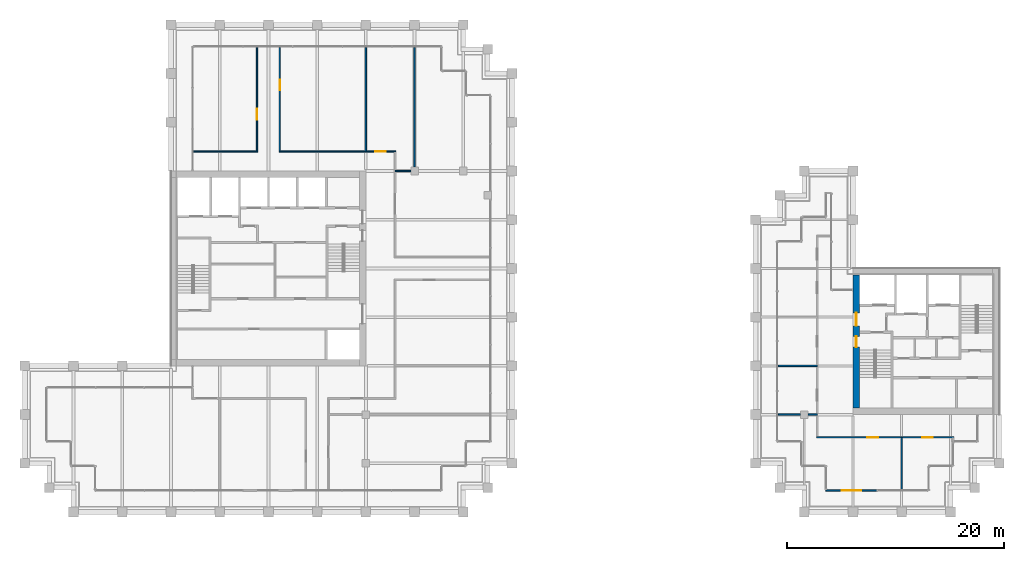
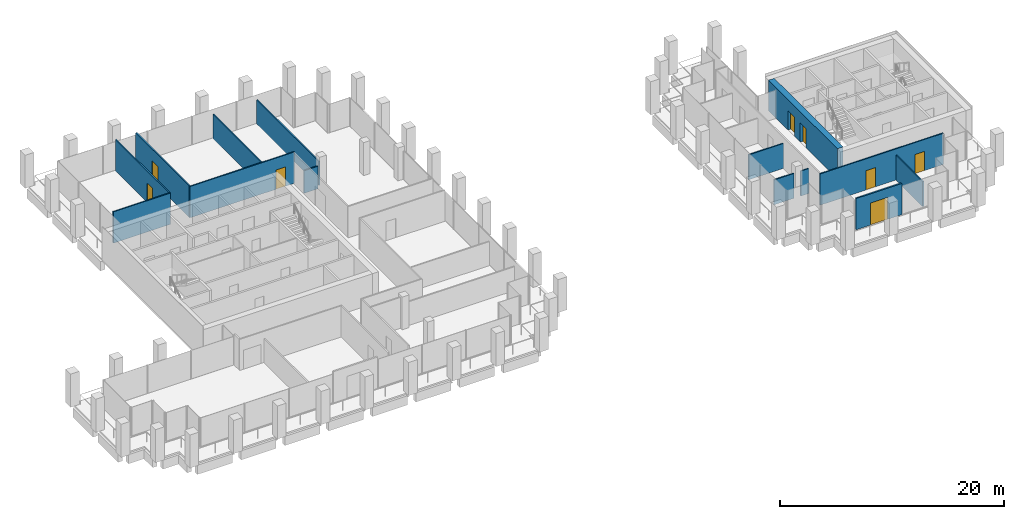
# One storey, part 37 of 40: 14 walls, 8 doors, 8 openings.
"""IFC4 building model written with IfcOpenShell, lengths in metres."""

from ifc_helpers import new_model, si_unit, direction, frame, frame_2d, origin, place, context, subcontext, project, spatial, rectangle, extrude, material, layer, layer_set, type_object, element, fill, save


model = new_model("IFC4")

# Units and contexts
model_context = context("Model", 3, precision=1e-05, world=origin(), true_north=direction((0.0, 1.0)))
body_context = subcontext(model_context, "Body", "Model", "MODEL_VIEW")
ifc_project = project(units=[si_unit("LENGTHUNIT", "METRE"), si_unit("AREAUNIT", "SQUARE_METRE"), si_unit("VOLUMEUNIT", "CUBIC_METRE"), si_unit("PLANEANGLEUNIT", "RADIAN"), si_unit("MASSUNIT", "GRAM", prefix="KILO")], contexts=[model_context])

# Site, building, storey
site_placement = place(None, origin())
site = spatial("IfcSite", under=ifc_project, at=site_placement, CompositionType="ELEMENT")
building_placement = place(site_placement, origin())
building = spatial("IfcBuilding", under=site, at=building_placement, Name="Altepetl Exchange Towers", CompositionType="ELEMENT")
storey_placement = place(building_placement, frame((0.0, 0.0, 187.0)))
storey = spatial("IfcBuildingStorey", under=building, at=storey_placement, Name="L47", CompositionType="ELEMENT", Elevation=187.0)

# Wall, openings, doors
ifc_material_1 = material(Name="Concrete C70/85", Category="concrete")
ifc_layer_1 = layer(ifc_material_1, 0.60009765625)
ifc_layer_set_1 = layer_set([ifc_layer_1], Name="Concrete C70/85")
wall_type_1 = type_object("IfcWallType", Name="Core wall 600 reinforced concrete", PredefinedType="SHEAR", material=ifc_layer_set_1)
wall_1_placement = place(storey_placement, frame((103.800048828125, 36.60009765625, 0.0), z_axis=(0.0, 0.0, 1.0), x_axis=(0.0, 1.0, 0.0)))
wall_1 = element("IfcWall", 1, at=wall_1_placement, inside=storey, type_object=wall_type_1, Name="wall:B:L47:K-coreW", PredefinedType="SHEAR", context=body_context, shape_type="SweptSolid", body=[
    extrude(rectangle(XDim=12.2998046875, YDim=0.60009765625, at=frame_2d((6.14990234375, 0.0))), origin(), (0.0, 0.0, 1.0), 3.300048828125),
])
opening_1_placement = place(wall_1_placement, frame((7.60009765625, 0.0, 0.0)))
opening_1 = element("IfcOpeningElement", 2, at=opening_1_placement, cuts=wall_1, Name="Opening L47.B60", PredefinedType="OPENING", context=body_context, shape_type="SweptSolid", body=[
    extrude(rectangle(XDim=1.199951171875, YDim=2.10009765625, at=frame_2d((0.60009765625, 1.050048828125))), frame((0.0, 0.31005859375, 0.0), z_axis=(0.0, -1.0, 0.0), x_axis=(1.0, 0.0, 0.0)), (0.0, 0.0, 1.0), 0.6201171875),
])
opening_2_placement = place(wall_1_placement, frame((5.625, 0.0, 0.0)))
opening_2 = element("IfcOpeningElement", 3, at=opening_2_placement, cuts=wall_1, Name="Opening L47.B62", PredefinedType="OPENING", context=body_context, shape_type="SweptSolid", body=[
    extrude(rectangle(XDim=1.0, YDim=2.10009765625, at=frame_2d((0.5, 1.050048828125))), frame((0.0, 0.31005859375, 0.0), z_axis=(0.0, -1.0, 0.0), x_axis=(1.0, 0.0, 0.0)), (0.0, 0.0, 1.0), 0.6201171875),
])
ifc_material_2 = material(Name="Steel and timber fire door", Category="steel")
door_type_1 = type_object("IfcDoorType", Name="Fire door 1000 x 2100 stair and lobby", OperationType="SINGLE_SWING_LEFT", PredefinedType="DOOR", material=ifc_material_2)
door_1_placement = place(opening_2_placement, frame((1.0, 0.0, 0.0), x_axis=(-1.0, 0.0, 0.0)))
door_1 = element("IfcDoor", 4, at=door_1_placement, inside=storey, type_object=door_type_1, Name="door:B:L47:K-dS1x", OperationType="SINGLE_SWING_RIGHT", OverallHeight=2.10009765625, OverallWidth=1.0, PredefinedType="DOOR", context=body_context, shape_type="SweptSolid", body=[
    extrude(rectangle(XDim=1.0, YDim=2.10009765625, at=frame_2d((0.5, 1.050048828125))), frame((0.0, 0.02490234375, 0.0), z_axis=(0.0, -1.0, 0.0), x_axis=(1.0, 0.0, 0.0)), (0.0, 0.0, 1.0), 0.050048828125),
])
fill(opening_2, door_1)
door_type_2 = type_object("IfcDoorType", Name="Fire door 1200 x 2100 lobby entry", OperationType="SINGLE_SWING_LEFT", PredefinedType="DOOR", material=ifc_material_2)
door_2_placement = place(opening_1_placement, frame((1.199951171875, 0.0, 0.0), x_axis=(-1.0, 0.0, 0.0)))
door_2 = element("IfcDoor", 5, at=door_2_placement, inside=storey, type_object=door_type_2, Name="door:B:L47:K-dLNW", OperationType="SINGLE_SWING_RIGHT", OverallHeight=2.10009765625, OverallWidth=1.199951171875, PredefinedType="DOOR", context=body_context, shape_type="SweptSolid", body=[
    extrude(rectangle(XDim=1.199951171875, YDim=2.10009765625, at=frame_2d((0.60009765625, 1.050048828125))), frame((0.0, 0.02490234375, 0.0), z_axis=(0.0, -1.0, 0.0), x_axis=(1.0, 0.0, 0.0)), (0.0, 0.0, 1.0), 0.050048828125),
])
fill(opening_1, door_2)

# Wall, opening, door
ifc_material_3 = material(Name="Aluminium composite cladding", Category="aluminium")
ifc_layer_2 = layer(ifc_material_3, 0.14990234375)
ifc_layer_set_2 = layer_set([ifc_layer_2], Name="Aluminium composite cladding")
wall_type_2 = type_object("IfcWallType", Name="Infill wall 150 aluminium panel", PredefinedType="SOLIDWALL", material=ifc_layer_set_2)
wall_2_placement = place(storey_placement, frame((101.0, 29.0, 0.0)))
wall_2 = element("IfcWall", 6, at=wall_2_placement, inside=storey, type_object=wall_type_2, Name="Loggia door bay wall", PredefinedType="SOLIDWALL", context=body_context, shape_type="SweptSolid", body=[
    extrude(rectangle(XDim=4.71240234375, YDim=0.14990234375, at=frame_2d((2.356201171875, 0.0))), origin(), (0.0, 0.0, 1.0), 3.39990234375),
])
opening_3_placement = place(wall_2_placement, frame((1.456298828125, 0.0, 0.0)))
opening_3 = element("IfcOpeningElement", 7, at=opening_3_placement, cuts=wall_2, Name="Opening L47.B90", PredefinedType="OPENING", context=body_context, shape_type="SweptSolid", body=[
    extrude(rectangle(XDim=1.800048828125, YDim=2.39990234375, at=frame_2d((0.89990234375, 1.199951171875))), frame((0.0, 0.0849609375, 0.0), z_axis=(0.0, -1.0, 0.0), x_axis=(1.0, 0.0, 0.0)), (0.0, 0.0, 1.0), 0.169921875),
])
ifc_material_4 = material(Name="Aluminium 6063-T6 and glass", Category="aluminium")
door_type_3 = type_object("IfcDoorType", Name="Glazed door pair 1800x2400", OperationType="DOUBLE_DOOR_DOUBLE_SWING", PredefinedType="NOTDEFINED", material=ifc_material_4)
door_3_placement = place(opening_3_placement, frame((1.800048828125, 0.0, 0.0), x_axis=(-1.0, 0.0, 0.0)))
door_3 = element("IfcDoor", 8, at=door_3_placement, inside=storey, type_object=door_type_3, Name="Loggia door", OperationType="DOUBLE_DOOR_DOUBLE_SWING", OverallHeight=2.39990234375, OverallWidth=1.800048828125, PredefinedType="NOTDEFINED", context=body_context, shape_type="SweptSolid", body=[
    extrude(rectangle(XDim=1.800048828125, YDim=2.39990234375, at=frame_2d((0.89990234375, 1.199951171875))), frame((0.0, 0.02490234375, 0.0), z_axis=(0.0, -1.0, 0.0), x_axis=(1.0, 0.0, 0.0)), (0.0, 0.0, 1.0), 0.050048828125),
])
fill(opening_3, door_3)

# Walls
ifc_material_5 = material(Name="Gypsum board on steel studs", Category="steel")
ifc_layer_3 = layer(ifc_material_5, 0.125)
ifc_layer_set_3 = layer_set([ifc_layer_3], Name="Gypsum board on steel studs")
wall_type_3 = type_object("IfcWallType", Name="Partition 125 gypsum board on steel studs", PredefinedType="PARTITIONING", material=ifc_layer_set_3)
wall_3_placement = place(storey_placement, frame((61.199951171875, 58.5, 0.0)))
element("IfcWall", 9, at=wall_3_placement, inside=storey, type_object=wall_type_3, Name="wall:A:L47:P08", PredefinedType="PARTITIONING", context=body_context, shape_type="SweptSolid", body=[
    extrude(rectangle(XDim=1.449951171875, YDim=0.125, at=frame_2d((0.72509765625, 0.0))), origin(), (0.0, 0.0, 1.0), 2.45703125),
])
wall_4_placement = place(storey_placement, frame((42.60009765625, 60.300048828125, 0.0)))
element("IfcWall", 10, at=wall_4_placement, inside=storey, type_object=wall_type_3, Name="wall:A:L47:P09", PredefinedType="PARTITIONING", context=body_context, shape_type="SweptSolid", body=[
    extrude(rectangle(XDim=5.912353515625, YDim=0.125, at=frame_2d((2.9560546875, 0.0))), origin(), (0.0, 0.0, 1.0), 3.39990234375),
])

# Wall, opening, door
wall_5_placement = place(storey_placement, frame((50.487548828125, 60.300048828125, 0.0)))
wall_5 = element("IfcWall", 11, at=wall_5_placement, inside=storey, type_object=wall_type_3, Name="wall:A:L47:P10", PredefinedType="PARTITIONING", context=body_context, shape_type="SweptSolid", body=[
    extrude(rectangle(XDim=10.77490234375, YDim=0.125, at=frame_2d((5.387451171875, 0.0))), origin(), (0.0, 0.0, 1.0), 3.39990234375),
])
opening_4_placement = place(wall_5_placement, frame((8.862548828125, 0.0, 0.0)))
opening_4 = element("IfcOpeningElement", 12, at=opening_4_placement, cuts=wall_5, Name="Opening L47.A07", PredefinedType="OPENING", context=body_context, shape_type="SweptSolid", body=[
    extrude(rectangle(XDim=1.0, YDim=2.10009765625, at=frame_2d((0.5, 1.050048828125))), frame((0.0, 0.072509765625, 0.0), z_axis=(0.0, -1.0, 0.0), x_axis=(1.0, 0.0, 0.0)), (0.0, 0.0, 1.0), 0.14501953125),
])
door_type_4 = type_object("IfcDoorType", Name="Fire door 1000 x 2100 single leaf", OperationType="SINGLE_SWING_LEFT", PredefinedType="DOOR", material=ifc_material_2)
door_4_placement = place(opening_4_placement, origin())
door_4 = element("IfcDoor", 13, at=door_4_placement, inside=storey, type_object=door_type_4, Name="door:A:L47:07", OperationType="SINGLE_SWING_RIGHT", OverallHeight=2.10009765625, OverallWidth=1.0, PredefinedType="DOOR", context=body_context, shape_type="SweptSolid", body=[
    extrude(rectangle(XDim=1.0, YDim=2.10009765625, at=frame_2d((0.5, 1.050048828125))), frame((0.0, 0.02490234375, 0.0), z_axis=(0.0, -1.0, 0.0), x_axis=(1.0, 0.0, 0.0)), (0.0, 0.0, 1.0), 0.050048828125),
])
fill(opening_4, door_4)

wall_6_placement = place(storey_placement, frame((48.449951171875, 60.362548828125, 0.0), z_axis=(0.0, 0.0, 1.0), x_axis=(0.0, 1.0, 0.0)))
wall_6 = element("IfcWall", 14, at=wall_6_placement, inside=storey, type_object=wall_type_3, Name="wall:A:L47:P13", PredefinedType="PARTITIONING", context=body_context, shape_type="SweptSolid", body=[
    extrude(rectangle(XDim=9.537353515625, YDim=0.125, at=frame_2d((4.7685546875, 0.0))), origin(), (0.0, 0.0, 1.0), 3.39990234375),
])
opening_5_placement = place(wall_6_placement, frame((2.889404296875, 0.0, 0.0)))
opening_5 = element("IfcOpeningElement", 15, at=opening_5_placement, cuts=wall_6, Name="Opening L47.A08", PredefinedType="OPENING", context=body_context, shape_type="SweptSolid", body=[
    extrude(rectangle(XDim=1.0, YDim=2.10009765625, at=frame_2d((0.5, 1.050048828125))), frame((0.0, 0.072509765625, 0.0), z_axis=(0.0, -1.0, 0.0), x_axis=(1.0, 0.0, 0.0)), (0.0, 0.0, 1.0), 0.14501953125),
])
door_5_placement = place(opening_5_placement, origin())
door_5 = element("IfcDoor", 16, at=door_5_placement, inside=storey, type_object=door_type_4, Name="door:A:L47:08", OperationType="SINGLE_SWING_RIGHT", OverallHeight=2.10009765625, OverallWidth=1.0, PredefinedType="DOOR", context=body_context, shape_type="SweptSolid", body=[
    extrude(rectangle(XDim=1.0, YDim=2.10009765625, at=frame_2d((0.5, 1.050048828125))), frame((0.0, 0.02490234375, 0.0), z_axis=(0.0, -1.0, 0.0), x_axis=(1.0, 0.0, 0.0)), (0.0, 0.0, 1.0), 0.050048828125),
])
fill(opening_5, door_5)

wall_7_placement = place(storey_placement, frame((50.550048828125, 60.362548828125, 0.0), z_axis=(0.0, 0.0, 1.0), x_axis=(0.0, 1.0, 0.0)))
wall_7 = element("IfcWall", 17, at=wall_7_placement, inside=storey, type_object=wall_type_3, Name="wall:A:L47:P14", PredefinedType="PARTITIONING", context=body_context, shape_type="SweptSolid", body=[
    extrude(rectangle(XDim=9.537353515625, YDim=0.125, at=frame_2d((4.7685546875, 0.0))), origin(), (0.0, 0.0, 1.0), 3.39990234375),
])
opening_6_placement = place(wall_7_placement, frame((5.58447265625, 0.0, 0.0)))
opening_6 = element("IfcOpeningElement", 18, at=opening_6_placement, cuts=wall_7, Name="Opening L47.A09", PredefinedType="OPENING", context=body_context, shape_type="SweptSolid", body=[
    extrude(rectangle(XDim=1.0, YDim=2.10009765625, at=frame_2d((0.5, 1.050048828125))), frame((0.0, 0.072509765625, 0.0), z_axis=(0.0, -1.0, 0.0), x_axis=(1.0, 0.0, 0.0)), (0.0, 0.0, 1.0), 0.14501953125),
])
door_6_placement = place(opening_6_placement, frame((1.0, 0.0, 0.0), x_axis=(-1.0, 0.0, 0.0)))
door_6 = element("IfcDoor", 19, at=door_6_placement, inside=storey, type_object=door_type_4, Name="door:A:L47:09", OperationType="SINGLE_SWING_RIGHT", OverallHeight=2.10009765625, OverallWidth=1.0, PredefinedType="DOOR", context=body_context, shape_type="SweptSolid", body=[
    extrude(rectangle(XDim=1.0, YDim=2.10009765625, at=frame_2d((0.5, 1.050048828125))), frame((0.0, 0.02490234375, 0.0), z_axis=(0.0, -1.0, 0.0), x_axis=(1.0, 0.0, 0.0)), (0.0, 0.0, 1.0), 0.050048828125),
])
fill(opening_6, door_6)

# Walls
wall_8_placement = place(storey_placement, frame((58.5, 60.300048828125, 0.0), z_axis=(0.0, 0.0, 1.0), x_axis=(0.0, 1.0, 0.0)))
element("IfcWall", 20, at=wall_8_placement, inside=storey, type_object=wall_type_3, Name="wall:A:L47:P17", PredefinedType="PARTITIONING", context=body_context, shape_type="SweptSolid", body=[
    extrude(rectangle(XDim=9.599853515625, YDim=0.125, at=frame_2d((4.7998046875, 0.0))), origin(), (0.0, 0.0, 1.0), 2.6259765625),
])
wall_9_placement = place(storey_placement, frame((63.0, 58.85009765625, 0.0), z_axis=(0.0, 0.0, 1.0), x_axis=(0.0, 1.0, 0.0)))
element("IfcWall", 21, at=wall_9_placement, inside=storey, type_object=wall_type_3, Name="wall:A:L47:P20", PredefinedType="PARTITIONING", context=body_context, shape_type="SweptSolid", body=[
    extrude(rectangle(XDim=11.0498046875, YDim=0.125, at=frame_2d((5.52490234375, 0.0))), origin(), (0.0, 0.0, 1.0), 2.6259765625),
])

# Wall, openings, doors
wall_10_placement = place(storey_placement, frame((100.137451171875, 33.89990234375, 0.0)))
wall_10 = element("IfcWall", 22, at=wall_10_placement, inside=storey, type_object=wall_type_3, Name="wall:B:L47:P01", PredefinedType="PARTITIONING", context=body_context, shape_type="SweptSolid", body=[
    extrude(rectangle(XDim=12.675048828125, YDim=0.125, at=frame_2d((6.33740234375, 0.0))), origin(), (0.0, 0.0, 1.0), 3.39990234375),
])
opening_7_placement = place(wall_10_placement, frame((4.6904296875, 0.0, 0.0)))
opening_7 = element("IfcOpeningElement", 23, at=opening_7_placement, cuts=wall_10, Name="Opening L47.B03", PredefinedType="OPENING", context=body_context, shape_type="SweptSolid", body=[
    extrude(rectangle(XDim=1.0, YDim=2.10009765625, at=frame_2d((0.5, 1.050048828125))), frame((0.0, 0.072509765625, 0.0), z_axis=(0.0, -1.0, 0.0), x_axis=(1.0, 0.0, 0.0)), (0.0, 0.0, 1.0), 0.14501953125),
])
opening_8_placement = place(wall_10_placement, frame((9.737548828125, 0.0, 0.0)))
opening_8 = element("IfcOpeningElement", 24, at=opening_8_placement, cuts=wall_10, Name="Opening L47.B04", PredefinedType="OPENING", context=body_context, shape_type="SweptSolid", body=[
    extrude(rectangle(XDim=1.0, YDim=2.10009765625, at=frame_2d((0.5, 1.050048828125))), frame((0.0, 0.072509765625, 0.0), z_axis=(0.0, -1.0, 0.0), x_axis=(1.0, 0.0, 0.0)), (0.0, 0.0, 1.0), 0.14501953125),
])
door_7_placement = place(opening_7_placement, frame((1.0, 0.0, 0.0), x_axis=(-1.0, 0.0, 0.0)))
door_7 = element("IfcDoor", 25, at=door_7_placement, inside=storey, type_object=door_type_4, Name="door:B:L47:03", OperationType="SINGLE_SWING_LEFT", OverallHeight=2.10009765625, OverallWidth=1.0, PredefinedType="DOOR", context=body_context, shape_type="SweptSolid", body=[
    extrude(rectangle(XDim=1.0, YDim=2.10009765625, at=frame_2d((0.5, 1.050048828125))), frame((0.0, 0.02490234375, 0.0), z_axis=(0.0, -1.0, 0.0), x_axis=(1.0, 0.0, 0.0)), (0.0, 0.0, 1.0), 0.050048828125),
])
fill(opening_7, door_7)
door_8_placement = place(opening_8_placement, frame((1.0, 0.0, 0.0), x_axis=(-1.0, 0.0, 0.0)))
door_8 = element("IfcDoor", 26, at=door_8_placement, inside=storey, type_object=door_type_4, Name="door:B:L47:04", OperationType="SINGLE_SWING_RIGHT", OverallHeight=2.10009765625, OverallWidth=1.0, PredefinedType="DOOR", context=body_context, shape_type="SweptSolid", body=[
    extrude(rectangle(XDim=1.0, YDim=2.10009765625, at=frame_2d((0.5, 1.050048828125))), frame((0.0, 0.02490234375, 0.0), z_axis=(0.0, -1.0, 0.0), x_axis=(1.0, 0.0, 0.0)), (0.0, 0.0, 1.0), 0.050048828125),
])
fill(opening_8, door_8)

# Walls
wall_11_placement = place(storey_placement, frame((96.60009765625, 36.0, 0.0)))
element("IfcWall", 27, at=wall_11_placement, inside=storey, type_object=wall_type_3, Name="wall:B:L47:P02", PredefinedType="PARTITIONING", context=body_context, shape_type="SweptSolid", body=[
    extrude(rectangle(XDim=2.0498046875, YDim=0.125, at=frame_2d((1.02490234375, 0.0))), origin(), (0.0, 0.0, 1.0), 2.7080078125),
])
wall_12_placement = place(storey_placement, frame((99.35009765625, 36.0, 0.0)))
element("IfcWall", 28, at=wall_12_placement, inside=storey, type_object=wall_type_3, Name="wall:B:L47:P03", PredefinedType="PARTITIONING", context=body_context, shape_type="SweptSolid", body=[
    extrude(rectangle(XDim=0.849853515625, YDim=0.125, at=frame_2d((0.4248046875, 0.0))), origin(), (0.0, 0.0, 1.0), 2.7080078125),
])
wall_13_placement = place(storey_placement, frame((96.60009765625, 40.5, 0.0)))
element("IfcWall", 29, at=wall_13_placement, inside=storey, type_object=wall_type_3, Name="wall:B:L47:P04", PredefinedType="PARTITIONING", context=body_context, shape_type="SweptSolid", body=[
    extrude(rectangle(XDim=3.599853515625, YDim=0.125, at=frame_2d((1.7998046875, 0.0))), origin(), (0.0, 0.0, 1.0), 2.7119140625),
])
wall_14_placement = place(storey_placement, frame((108.0, 29.10009765625, 0.0), z_axis=(0.0, 0.0, 1.0), x_axis=(0.0, 1.0, 0.0)))
element("IfcWall", 30, at=wall_14_placement, inside=storey, type_object=wall_type_3, Name="wall:B:L47:P09", PredefinedType="PARTITIONING", context=body_context, shape_type="SweptSolid", body=[
    extrude(rectangle(XDim=4.7998046875, YDim=0.125, at=frame_2d((2.39990234375, 0.0))), origin(), (0.0, 0.0, 1.0), 2.7119140625),
])

save(model, "model.ifc")
